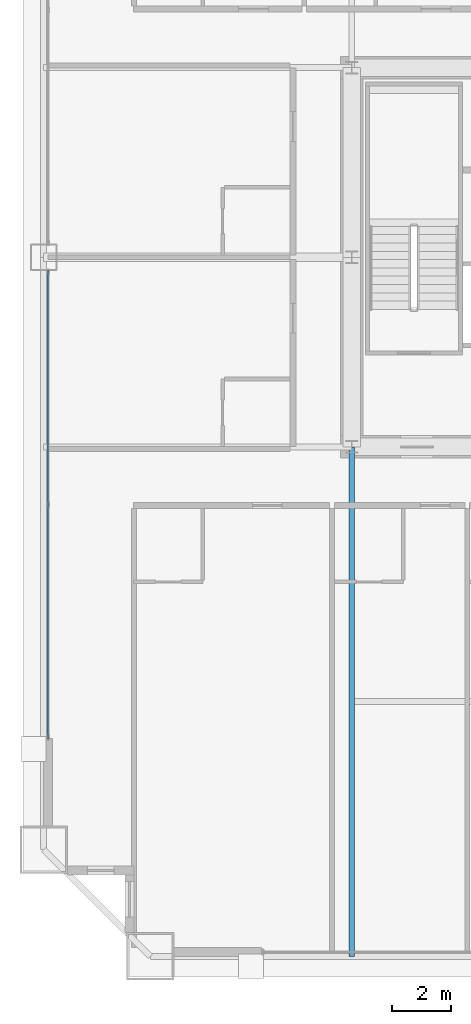
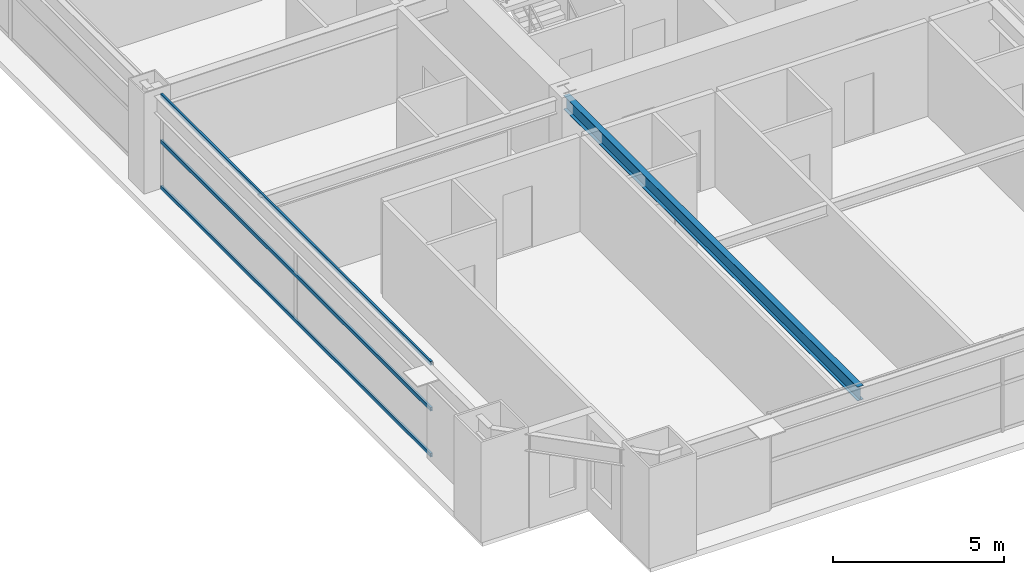
# One storey, part 8 of 38: 3 members, 1 beam, 1 element without a shape of its own.
"""IFC4 building model written with IfcOpenShell, lengths in metres."""

from ifc_helpers import new_model, si_unit, direction, frame, origin, origin_2d, place, context, subcontext, project, spatial, hollow_rectangle, i_section, extrude, source, transform, mapped, material, layer, layer_set, material_profile, profile_set, type_object, element, aggregate, save


model = new_model("IFC4")

# Units and contexts
model_context = context("Model", 3, precision=1e-05, world=origin(), true_north=direction((0.0, 1.0)))
body_context = subcontext(model_context, "Body", "Model", "MODEL_VIEW")
ifc_project = project(units=[si_unit("LENGTHUNIT", "METRE"), si_unit("AREAUNIT", "SQUARE_METRE"), si_unit("VOLUMEUNIT", "CUBIC_METRE"), si_unit("PLANEANGLEUNIT", "RADIAN"), si_unit("MASSUNIT", "GRAM", prefix="KILO"), si_unit("THERMODYNAMICTEMPERATUREUNIT", "KELVIN"), si_unit("POWERUNIT", "WATT")], contexts=[model_context])

# Site, building, storey
site_placement = place(None, origin())
site = spatial("IfcSite", under=ifc_project, at=site_placement, CompositionType="ELEMENT")
building_placement = place(site_placement, origin())
building = spatial("IfcBuilding", under=site, at=building_placement, Name="Yuzanri Waterfront Tower", CompositionType="ELEMENT")
storey_placement = place(building_placement, frame((0.0, 0.0, 90.199951171875)))
storey = spatial("IfcBuildingStorey", under=building, at=storey_placement, Name="L23", CompositionType="ELEMENT", Elevation=90.199951171875)

# Beam
ifc_material_1 = material(Name="Steel Q355B", Category="steel")
ifc_material_profile_1 = material_profile(ifc_material_1, i_section(OverallWidth=0.199951171875, OverallDepth=0.5, WebThickness=0.010009765625, FlangeThickness=0.01611328125, at=origin_2d()), Name="HN 500x200x10x16")
ifc_profile_set_1 = profile_set([ifc_material_profile_1], Name="Steel Q355B")
beam_type = type_object("IfcBeamType", Name="Secondary Floor Beam Q355B HN 500x200", PredefinedType="BEAM", material=ifc_profile_set_1)
shared_shape_1 = source(origin(), body_context, "Body", "SweptSolid", [
    extrude(i_section(OverallWidth=0.199951171875, OverallDepth=0.5, WebThickness=0.010009765625, FlangeThickness=0.01611328125, at=origin_2d()), origin(), (0.0, 0.0, 1.0), 17.199951171875),
])
beam_placement = place(storey_placement, frame((23.800048828125, 19.39990234375, 3.130126953125), z_axis=(0.0, -1.0, 0.0), x_axis=(1.0, 0.0, 0.0)))
element("IfcBeam", 1, at=beam_placement, inside=storey, type_object=beam_type, Name="L23 South-West Core Line Beam", PredefinedType="BEAM", context=body_context, shape_type="MappedRepresentation", body=[
    mapped(shared_shape_1, transform((0.0, 0.0, 0.0), scale=1.0)),
])

# Curtain wall, members
ifc_material_2 = material(Name="Anodized Architectural Bronze", Category="metal")
ifc_layer = layer(ifc_material_2, 0.159912109375)
ifc_layer_set = layer_set([ifc_layer], Name="Anodized Architectural Bronze")
curtain_wall_type = type_object("IfcCurtainWallType", Name="Anodized Bronze Hotel Upper-Tier Solar-Control Unitized Curtain Wall 7800", PredefinedType="NOTDEFINED", material=ifc_layer_set)
curtain_wall_placement = place(storey_placement, origin())
curtain_wall = element("IfcCurtainWall", 2, at=curtain_wall_placement, inside=storey, type_object=curtain_wall_type, Name="L23 Curtain Wall CW-L23-WL", PredefinedType="NOTDEFINED")
ifc_material_3 = material(Name="Anodized Architectural Bronze", Category="metal")
ifc_material_profile_2 = material_profile(ifc_material_3, hollow_rectangle(XDim=0.070068359375, YDim=0.135009765625, WallThickness=0.00341796875, at=origin_2d()), Name="CWT 70x135")
ifc_profile_set_2 = profile_set([ifc_material_profile_2], Name="Anodized Architectural Bronze")
member_type = type_object("IfcMemberType", Name="Anodized Bronze Standard Curtain-Wall Transom 70x135", PredefinedType="USERDEFINED", material=ifc_profile_set_2)
shared_shape_2 = source(origin(), body_context, "Body", "SweptSolid", [
    extrude(hollow_rectangle(XDim=0.070068359375, YDim=0.135009765625, WallThickness=0.00341796875, at=origin_2d()), origin(), (0.0, 0.0, 1.0), 15.800048828125),
])
member_1_placement = place(storey_placement, frame((13.550048828125, 9.550048828125, 0.050048828125), z_axis=(0.0, 1.0, 0.0), x_axis=(-1.0, 0.0, 0.0)))
member_1 = element("IfcMember", 3, at=member_1_placement, type_object=member_type, Name="CW-L23-WL Transom 1", ObjectType="TRANSOM", PredefinedType="USERDEFINED", context=body_context, shape_type="MappedRepresentation", body=[
    mapped(shared_shape_2, transform((0.0, 0.0, 0.0), scale=1.0)),
])
member_2_placement = place(storey_placement, frame((13.550048828125, 9.550048828125, 1.68994140625), z_axis=(0.0, 1.0, 0.0), x_axis=(-1.0, 0.0, 0.0)))
member_2 = element("IfcMember", 4, at=member_2_placement, type_object=member_type, Name="CW-L23-WL Transom 2", ObjectType="TRANSOM", PredefinedType="USERDEFINED", context=body_context, shape_type="MappedRepresentation", body=[
    mapped(shared_shape_2, transform((0.0, 0.0, 0.0), scale=1.0)),
])
member_3_placement = place(storey_placement, frame((13.550048828125, 9.550048828125, 3.330078125), z_axis=(0.0, 1.0, 0.0), x_axis=(-1.0, 0.0, 0.0)))
member_3 = element("IfcMember", 5, at=member_3_placement, type_object=member_type, Name="CW-L23-WL Transom 3", ObjectType="TRANSOM", PredefinedType="USERDEFINED", context=body_context, shape_type="MappedRepresentation", body=[
    mapped(shared_shape_2, transform((0.0, 0.0, 0.0), scale=1.0)),
])
aggregate(curtain_wall, [member_1, member_2, member_3])

save(model, "model.ifc")
